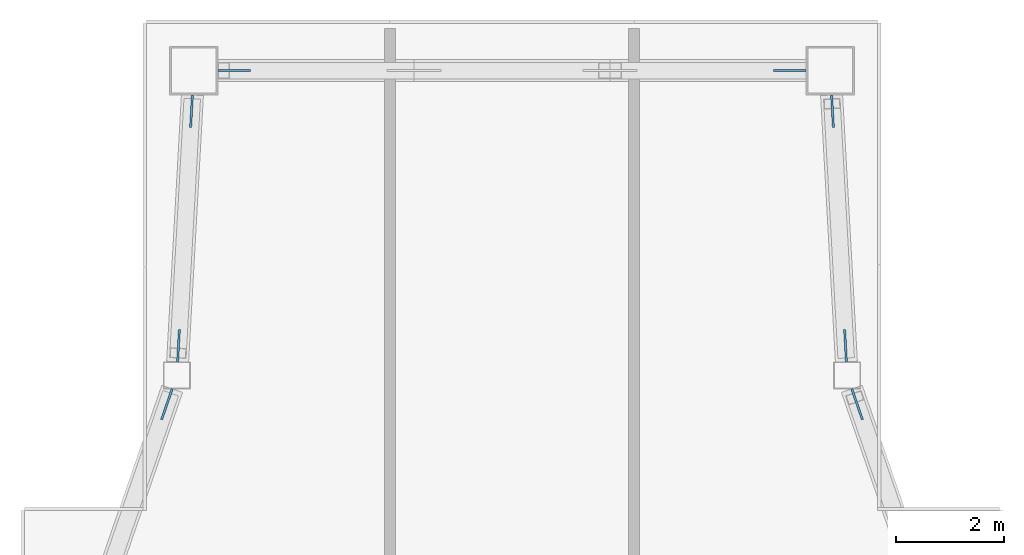
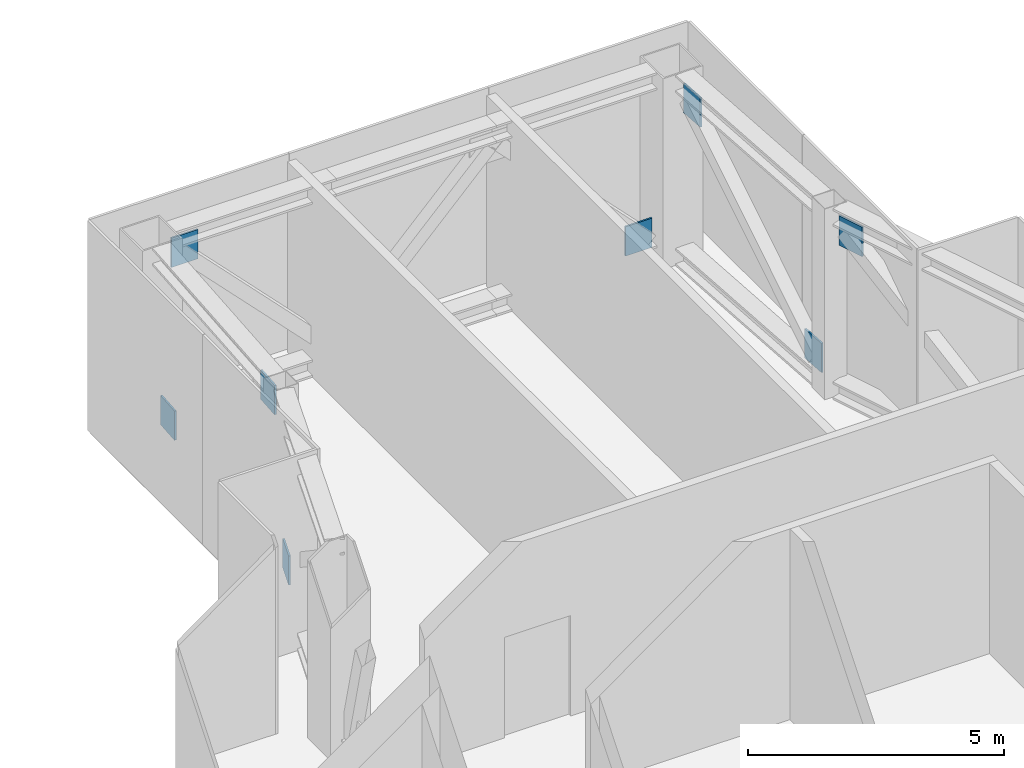
# One storey, part 16 of 18: 8 discrete accessories.
"""IFC4 building model written with IfcOpenShell, lengths in metres."""

from ifc_helpers import new_model, si_unit, direction, frame, origin, origin_2d, place, context, subcontext, project, spatial, rectangle, extrude, material, layer, layer_set, type_object, element, save


model = new_model("IFC4")

# Units and contexts
model_context = context("Model", 3, precision=1e-05, world=origin(), true_north=direction((0.0, 1.0)))
body_context = subcontext(model_context, "Body", "Model", "MODEL_VIEW")
ifc_project = project(units=[si_unit("LENGTHUNIT", "METRE"), si_unit("AREAUNIT", "SQUARE_METRE"), si_unit("VOLUMEUNIT", "CUBIC_METRE"), si_unit("PLANEANGLEUNIT", "RADIAN"), si_unit("MASSUNIT", "GRAM", prefix="KILO")], contexts=[model_context])

# Site, building, storey
site_placement = place(None, origin())
site = spatial("IfcSite", under=ifc_project, at=site_placement, CompositionType="ELEMENT")
building_placement = place(site_placement, origin())
building = spatial("IfcBuilding", under=site, at=building_placement, Name="Shamsa Quay Exchange Towers", CompositionType="ELEMENT")
storey_placement = place(building_placement, frame((0.0, 0.0, 273.300048828125)))
storey = spatial("IfcBuildingStorey", under=building, at=storey_placement, Name="L66", CompositionType="ELEMENT", Elevation=273.300048828125)

# Discrete accessories
ifc_material = material(Name="Steel S355", Category="steel")
ifc_layer = layer(ifc_material, 0.0400390625)
ifc_layer_set = layer_set([ifc_layer], Name="End plate 600x700x40")
discrete_accessory_type = type_object("IfcDiscreteAccessoryType", Name="End plate 600x700x40", PredefinedType="BRACKET", material=ifc_layer_set)
for number, where, z_axis, x_axis, name in (
    (1, (40.121337890625, 13.21630859375, 3.583984375), (0.0, 0.0, 1.0), (-0.325666906351, 0.945484566827, 0.0), "End plate T2 L66"),
    (2, (39.906982421875, 14.299560546875, 0.26611328125), (0.0, 0.0, 1.0), (-0.055470019625, 0.998460353205, 0.0), "End plate T2 L66"),
    (3, (39.666748046875, 18.62548828125, 3.583984375), (0.0, 0.0, 1.0), (-0.055470019625, 0.998460353205, 0.0), "End plate T2 L66"),
    (4, (38.875, 19.375, 0.26611328125), (0.0, 0.0, 1.0), (-1.0, 0.0, 0.0), "End plate T2 L66"),
    (5, (28.625, 19.375, 3.583984375), (0.0, 0.0, 1.0), (-1.0, 0.0, 0.0), "End plate T2 L66"),
    (6, (27.833251953125, 18.62548828125, 0.26611328125), (0.0, 0.0, 1.0), (-0.055470019625, -0.998460353205, 0.0), "End plate T2 L66"),
    (7, (27.593017578125, 14.299560546875, 3.583984375), (0.0, 0.0, 1.0), (-0.055470019625, -0.998460353205, 0.0), "End plate T2 L66"),
    (8, (27.378662109375, 13.21630859375, 0.26611328125), (0.0, 0.0, 1.0), (-0.325666906351, -0.945484566827, 0.0), "End plate T2 L66"),
):
    element("IfcDiscreteAccessory", number, at=place(storey_placement, frame(where, z_axis=z_axis, x_axis=x_axis)), inside=storey, type_object=discrete_accessory_type, Name=name, PredefinedType="BRACKET", context=body_context, shape_type="SweptSolid", body=[
        extrude(rectangle(XDim=0.60009765625, YDim=0.0400390625, at=origin_2d()), origin(), (0.0, 0.0, 1.0), 0.699951171875),
    ])

save(model, "model.ifc")
